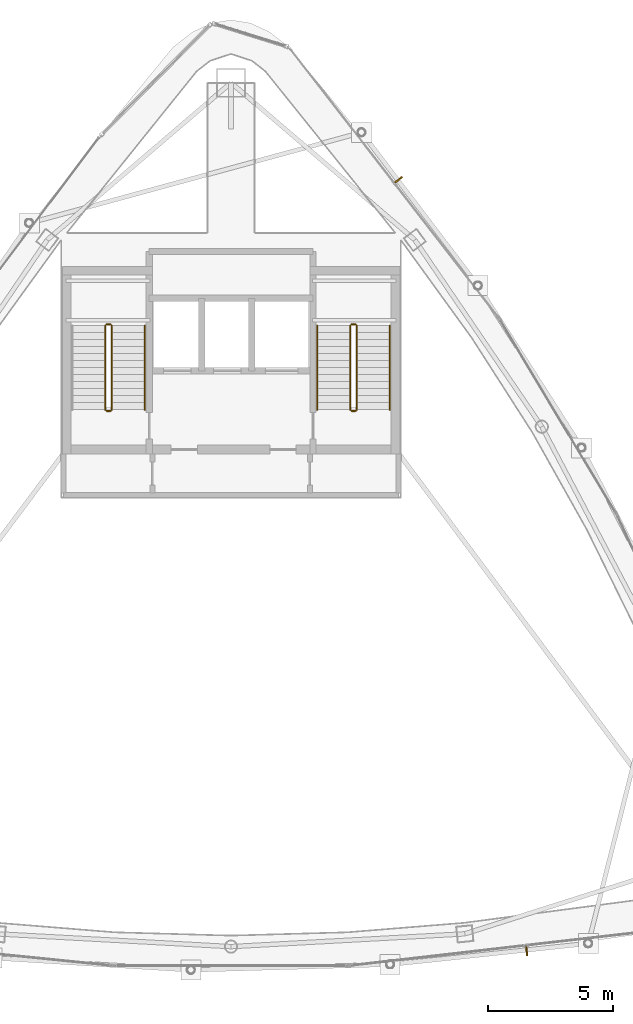
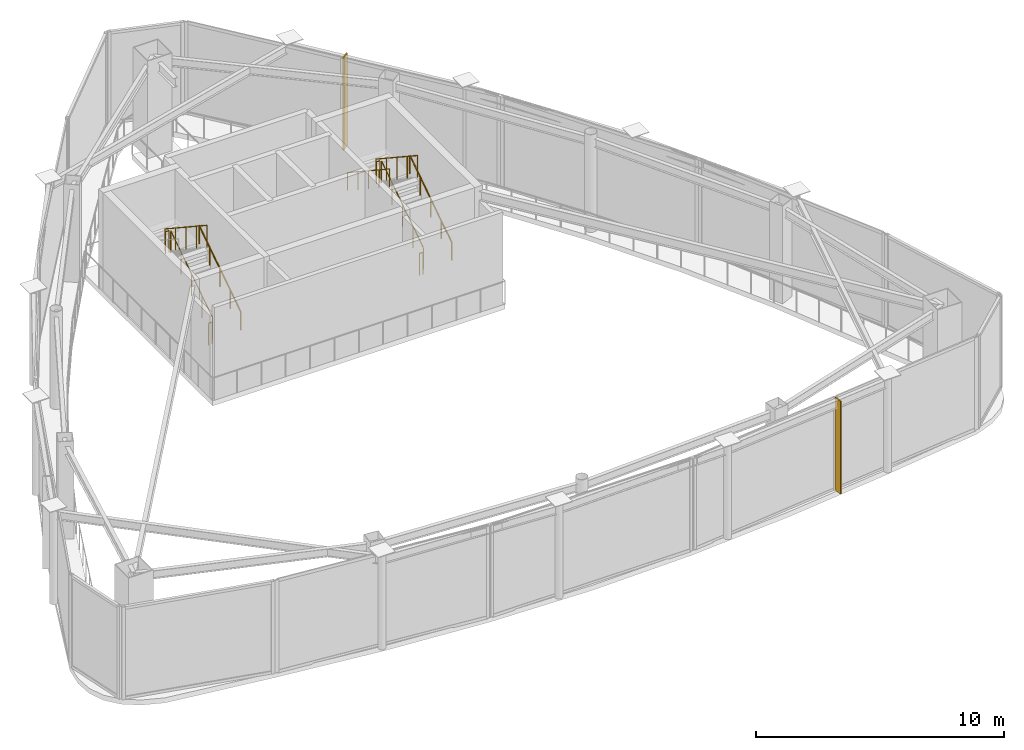
# One storey, part 18 of 19: 11 railings, 2 shading devices.
"""IFC4 building model written with IfcOpenShell, lengths in metres."""

from ifc_helpers import new_model, si_unit, direction, frame, origin, origin_2d, place, context, subcontext, project, spatial, rectangle, circle, extrude, material, layer, layer_set, type_object, element, save


model = new_model("IFC4")

# Units and contexts
model_context = context("Model", 3, precision=1e-05, world=origin(), true_north=direction((0.0, 1.0)))
body_context = subcontext(model_context, "Body", "Model", "MODEL_VIEW")
ifc_project = project(units=[si_unit("LENGTHUNIT", "METRE"), si_unit("AREAUNIT", "SQUARE_METRE"), si_unit("VOLUMEUNIT", "CUBIC_METRE"), si_unit("PLANEANGLEUNIT", "RADIAN"), si_unit("MASSUNIT", "GRAM", prefix="KILO")], contexts=[model_context])

# Site, building, storey
site_placement = place(None, origin())
site = spatial("IfcSite", under=ifc_project, at=site_placement, CompositionType="ELEMENT")
building_placement = place(site_placement, origin())
building = spatial("IfcBuilding", under=site, at=building_placement, Name="Orvanel Arch Residences", CompositionType="ELEMENT")
storey_placement = place(building_placement, frame((0.0, 0.0, 290.89990234375)))
storey = spatial("IfcBuildingStorey", under=building, at=storey_placement, Name="L82", CompositionType="ELEMENT", Elevation=290.89990234375)

# Shading devices
ifc_material_1 = material(Name="Bronze-anodised aluminium AA6063-T6", Category="aluminium")
ifc_layer = layer(ifc_material_1, 0.06005859375)
ifc_layer_set = layer_set([ifc_layer], Name="Bronze-anodised aluminium AA6063-T6")
shading_device_type = type_object("IfcShadingDeviceType", Name="FIN-BRZ-380", PredefinedType="USERDEFINED", material=ifc_layer_set)
for number, where, z_axis, x_axis, name in (
    (1, (44.826904296875, 6.674072265625, 0.0), (0.0, 0.0, 1.0), (0.114937150493, -0.9933727656, 0.0), "L82 Anodised Bronze Mullion FIN 01"),
    (2, (39.702880859375, 37.51904296875, 0.0), (0.0, 0.0, 1.0), (0.790155012376, 0.612907053653, 0.0), "L82 Anodised Bronze Mullion FIN 01"),
):
    element("IfcShadingDevice", number, at=place(storey_placement, frame(where, z_axis=z_axis, x_axis=x_axis)), inside=storey, type_object=shading_device_type, Name=name, ObjectType="FIN", PredefinedType="USERDEFINED", context=body_context, shape_type="SweptSolid", body=[
        extrude(rectangle(XDim=0.3798828125, YDim=0.06005859375, at=origin_2d()), origin(), (0.0, 0.0, 1.0), 4.550048828125),
    ])

# Railings
ifc_material_2 = material(Name="Structural steel AS/NZS 1163 C350L0 (Grade 350)", Category="steel")
railing_type_1 = type_object("IfcRailingType", Name="RL-STAIR-GUARD", PredefinedType="GUARDRAIL", material=ifc_material_2)
railing_1_placement = place(storey_placement, frame((28.22998046875, 28.320068359375, 0.184814453125)))
element("IfcRailing", 3, at=railing_1_placement, inside=storey, type_object=railing_type_1, Name="L82 ST-1 stair guard 1", PredefinedType="GUARDRAIL", context=body_context, shape_type="SweptSolid", body=[
    extrude(circle(Radius=0.02392578125, at=origin_2d()), frame((0.0, 0.001220703125, 1.076904296875), z_axis=(0.0, 0.834858096282, 0.550465220583), x_axis=(-1.0, 0.0, 0.0)), (0.0, 0.0, 1.0), 4.021484375),
    extrude(circle(Radius=0.02099609375, at=origin_2d()), origin(), (0.0, 0.0, 1.0), 1.050048828125),
    extrude(circle(Radius=0.02099609375, at=origin_2d()), frame((0.0, 0.83984375, 0.5537109375)), (0.0, 0.0, 1.0), 1.050048828125),
    extrude(circle(Radius=0.02099609375, at=origin_2d()), frame((0.0, 1.679931640625, 1.107666015625)), (0.0, 0.0, 1.0), 1.050048828125),
    extrude(circle(Radius=0.02099609375, at=origin_2d()), frame((0.0, 2.52001953125, 1.66162109375)), (0.0, 0.0, 1.0), 1.050048828125),
    extrude(circle(Radius=0.02099609375, at=origin_2d()), frame((0.0, 3.35986328125, 2.21533203125)), (0.0, 0.0, 1.0), 1.050048828125),
])
railing_2_placement = place(storey_placement, frame((28.179931640625, 31.72998046875, 2.400146484375)))
element("IfcRailing", 4, at=railing_2_placement, inside=storey, type_object=railing_type_1, Name="L82 ST-1 stair guard 2", PredefinedType="GUARDRAIL", context=body_context, shape_type="SweptSolid", body=[
    extrude(circle(Radius=0.02392578125, at=origin_2d()), frame((-0.00146484375, 0.0, 1.076171875), z_axis=(-1.0, 0.0, 0.0), x_axis=(0.0, -1.0, 0.0)), (0.0, 0.0, 1.0), 0.156982421875),
    extrude(circle(Radius=0.02099609375, at=origin_2d()), origin(), (0.0, 0.0, 1.0), 1.050048828125),
    extrude(circle(Radius=0.02099609375, at=origin_2d()), frame((-0.159912109375, 0.0, 0.0)), (0.0, 0.0, 1.0), 1.050048828125),
])
railing_3_placement = place(storey_placement, frame((27.969970703125, 31.679931640625, 2.584716796875)))
element("IfcRailing", 5, at=railing_3_placement, inside=storey, type_object=railing_type_1, Name="L82 ST-1 stair guard 3", PredefinedType="GUARDRAIL", context=body_context, shape_type="SweptSolid", body=[
    extrude(circle(Radius=0.02392578125, at=origin_2d()), frame((0.0, -0.001220703125, 1.076904296875), z_axis=(0.0, -0.834858096282, 0.550465220583), x_axis=(1.0, 0.0, 0.0)), (0.0, 0.0, 1.0), 4.021484375),
    extrude(circle(Radius=0.02099609375, at=origin_2d()), origin(), (0.0, 0.0, 1.0), 1.050048828125),
    extrude(circle(Radius=0.02099609375, at=origin_2d()), frame((0.0, -0.83984375, 0.5537109375)), (0.0, 0.0, 1.0), 1.050048828125),
    extrude(circle(Radius=0.02099609375, at=origin_2d()), frame((0.0, -1.679931640625, 1.107666015625)), (0.0, 0.0, 1.0), 1.050048828125),
    extrude(circle(Radius=0.02099609375, at=origin_2d()), frame((0.0, -2.52001953125, 1.66162109375)), (0.0, 0.0, 1.0), 1.050048828125),
    extrude(circle(Radius=0.02099609375, at=origin_2d()), frame((0.0, -3.35986328125, 2.21533203125)), (0.0, 0.0, 1.0), 1.050048828125),
])
railing_4_placement = place(storey_placement, frame((28.179931640625, 28.27001953125, 0.0)))
element("IfcRailing", 6, at=railing_4_placement, inside=storey, type_object=railing_type_1, Name="L82 ST-1 stair guard 4", PredefinedType="GUARDRAIL", context=body_context, shape_type="SweptSolid", body=[
    extrude(circle(Radius=0.02392578125, at=origin_2d()), frame((-0.00146484375, 0.0, 1.076171875), z_axis=(-1.0, 0.0, 0.0), x_axis=(0.0, -1.0, 0.0)), (0.0, 0.0, 1.0), 0.156982421875),
    extrude(circle(Radius=0.02099609375, at=origin_2d()), origin(), (0.0, 0.0, 1.0), 1.050048828125),
    extrude(circle(Radius=0.02099609375, at=origin_2d()), frame((-0.159912109375, 0.0, 0.0)), (0.0, 0.0, 1.0), 1.050048828125),
])
railing_5_placement = place(storey_placement, frame((38.030029296875, 28.320068359375, 0.184814453125)))
element("IfcRailing", 7, at=railing_5_placement, inside=storey, type_object=railing_type_1, Name="L82 ST-2 stair guard 1", PredefinedType="GUARDRAIL", context=body_context, shape_type="SweptSolid", body=[
    extrude(circle(Radius=0.02392578125, at=origin_2d()), frame((0.0, 0.001220703125, 1.076904296875), z_axis=(0.0, 0.834858096282, 0.550465220583), x_axis=(-1.0, 0.0, 0.0)), (0.0, 0.0, 1.0), 4.021484375),
    extrude(circle(Radius=0.02099609375, at=origin_2d()), origin(), (0.0, 0.0, 1.0), 1.050048828125),
    extrude(circle(Radius=0.02099609375, at=origin_2d()), frame((0.0, 0.83984375, 0.5537109375)), (0.0, 0.0, 1.0), 1.050048828125),
    extrude(circle(Radius=0.02099609375, at=origin_2d()), frame((0.0, 1.679931640625, 1.107666015625)), (0.0, 0.0, 1.0), 1.050048828125),
    extrude(circle(Radius=0.02099609375, at=origin_2d()), frame((0.0, 2.52001953125, 1.66162109375)), (0.0, 0.0, 1.0), 1.050048828125),
    extrude(circle(Radius=0.02099609375, at=origin_2d()), frame((0.0, 3.35986328125, 2.21533203125)), (0.0, 0.0, 1.0), 1.050048828125),
])
railing_6_placement = place(storey_placement, frame((37.97998046875, 31.72998046875, 2.400146484375)))
element("IfcRailing", 8, at=railing_6_placement, inside=storey, type_object=railing_type_1, Name="L82 ST-2 stair guard 2", PredefinedType="GUARDRAIL", context=body_context, shape_type="SweptSolid", body=[
    extrude(circle(Radius=0.02392578125, at=origin_2d()), frame((-0.00146484375, 0.0, 1.076171875), z_axis=(-1.0, 0.0, 0.0), x_axis=(0.0, -1.0, 0.0)), (0.0, 0.0, 1.0), 0.156982421875),
    extrude(circle(Radius=0.02099609375, at=origin_2d()), origin(), (0.0, 0.0, 1.0), 1.050048828125),
    extrude(circle(Radius=0.02099609375, at=origin_2d()), frame((-0.159912109375, 0.0, 0.0)), (0.0, 0.0, 1.0), 1.050048828125),
])
railing_7_placement = place(storey_placement, frame((37.77001953125, 31.679931640625, 2.584716796875)))
element("IfcRailing", 9, at=railing_7_placement, inside=storey, type_object=railing_type_1, Name="L82 ST-2 stair guard 3", PredefinedType="GUARDRAIL", context=body_context, shape_type="SweptSolid", body=[
    extrude(circle(Radius=0.02392578125, at=origin_2d()), frame((0.0, -0.001220703125, 1.076904296875), z_axis=(0.0, -0.834858096282, 0.550465220583), x_axis=(1.0, 0.0, 0.0)), (0.0, 0.0, 1.0), 4.021484375),
    extrude(circle(Radius=0.02099609375, at=origin_2d()), origin(), (0.0, 0.0, 1.0), 1.050048828125),
    extrude(circle(Radius=0.02099609375, at=origin_2d()), frame((0.0, -0.83984375, 0.5537109375)), (0.0, 0.0, 1.0), 1.050048828125),
    extrude(circle(Radius=0.02099609375, at=origin_2d()), frame((0.0, -1.679931640625, 1.107666015625)), (0.0, 0.0, 1.0), 1.050048828125),
    extrude(circle(Radius=0.02099609375, at=origin_2d()), frame((0.0, -2.52001953125, 1.66162109375)), (0.0, 0.0, 1.0), 1.050048828125),
    extrude(circle(Radius=0.02099609375, at=origin_2d()), frame((0.0, -3.35986328125, 2.21533203125)), (0.0, 0.0, 1.0), 1.050048828125),
])
railing_8_placement = place(storey_placement, frame((37.97998046875, 28.27001953125, 0.0)))
element("IfcRailing", 10, at=railing_8_placement, inside=storey, type_object=railing_type_1, Name="L82 ST-2 stair guard 4", PredefinedType="GUARDRAIL", context=body_context, shape_type="SweptSolid", body=[
    extrude(circle(Radius=0.02392578125, at=origin_2d()), frame((-0.00146484375, 0.0, 1.076171875), z_axis=(-1.0, 0.0, 0.0), x_axis=(0.0, -1.0, 0.0)), (0.0, 0.0, 1.0), 0.156982421875),
    extrude(circle(Radius=0.02099609375, at=origin_2d()), origin(), (0.0, 0.0, 1.0), 1.050048828125),
    extrude(circle(Radius=0.02099609375, at=origin_2d()), frame((-0.159912109375, 0.0, 0.0)), (0.0, 0.0, 1.0), 1.050048828125),
])
railing_type_2 = type_object("IfcRailingType", Name="RL-STAIR-HAND", PredefinedType="HANDRAIL", material=ifc_material_2)
for number, where, name in (
    (11, (29.550048828125, 28.320068359375, 0.184814453125), "L82 ST-1 stair handrail 1"),
    (12, (39.35009765625, 28.320068359375, 0.184814453125), "L82 ST-2 stair handrail 1"),
):
    element("IfcRailing", number, at=place(storey_placement, frame(where)), inside=storey, type_object=railing_type_2, Name=name, PredefinedType="HANDRAIL", context=body_context, shape_type="SweptSolid", body=[
        extrude(circle(Radius=0.02392578125, at=origin_2d()), frame((0.0, 0.001220703125, 0.876708984375), z_axis=(0.0, 0.834858096282, 0.550465220583), x_axis=(-1.0, 0.0, 0.0)), (0.0, 0.0, 1.0), 4.021484375),
        extrude(circle(Radius=0.02099609375, at=origin_2d()), origin(), (0.0, 0.0, 1.0), 0.849853515625),
        extrude(circle(Radius=0.02099609375, at=origin_2d()), frame((0.0, 0.83984375, 0.5537109375)), (0.0, 0.0, 1.0), 0.849853515625),
        extrude(circle(Radius=0.02099609375, at=origin_2d()), frame((0.0, 1.679931640625, 1.107666015625)), (0.0, 0.0, 1.0), 0.849853515625),
        extrude(circle(Radius=0.02099609375, at=origin_2d()), frame((0.0, 2.52001953125, 1.66162109375)), (0.0, 0.0, 1.0), 0.849853515625),
        extrude(circle(Radius=0.02099609375, at=origin_2d()), frame((0.0, 3.35986328125, 2.21533203125)), (0.0, 0.0, 1.0), 0.849853515625),
    ])
railing_9_placement = place(storey_placement, frame((36.449951171875, 31.679931640625, 2.584716796875)))
element("IfcRailing", 13, at=railing_9_placement, inside=storey, type_object=railing_type_2, Name="L82 ST-2 stair handrail 2", PredefinedType="HANDRAIL", context=body_context, shape_type="SweptSolid", body=[
    extrude(circle(Radius=0.02392578125, at=origin_2d()), frame((0.0, -0.001220703125, 0.876708984375), z_axis=(0.0, -0.834858096282, 0.550465220583), x_axis=(1.0, 0.0, 0.0)), (0.0, 0.0, 1.0), 4.021484375),
    extrude(circle(Radius=0.02099609375, at=origin_2d()), origin(), (0.0, 0.0, 1.0), 0.849853515625),
    extrude(circle(Radius=0.02099609375, at=origin_2d()), frame((0.0, -0.83984375, 0.5537109375)), (0.0, 0.0, 1.0), 0.849853515625),
    extrude(circle(Radius=0.02099609375, at=origin_2d()), frame((0.0, -1.679931640625, 1.107666015625)), (0.0, 0.0, 1.0), 0.849853515625),
    extrude(circle(Radius=0.02099609375, at=origin_2d()), frame((0.0, -2.52001953125, 1.66162109375)), (0.0, 0.0, 1.0), 0.849853515625),
    extrude(circle(Radius=0.02099609375, at=origin_2d()), frame((0.0, -3.35986328125, 2.21533203125)), (0.0, 0.0, 1.0), 0.849853515625),
])

save(model, "model.ifc")
